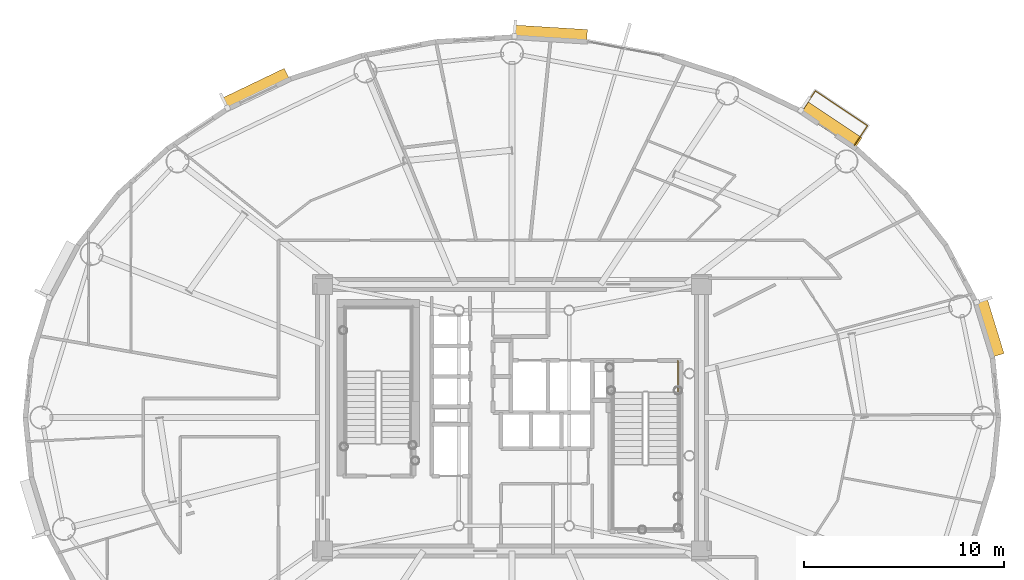
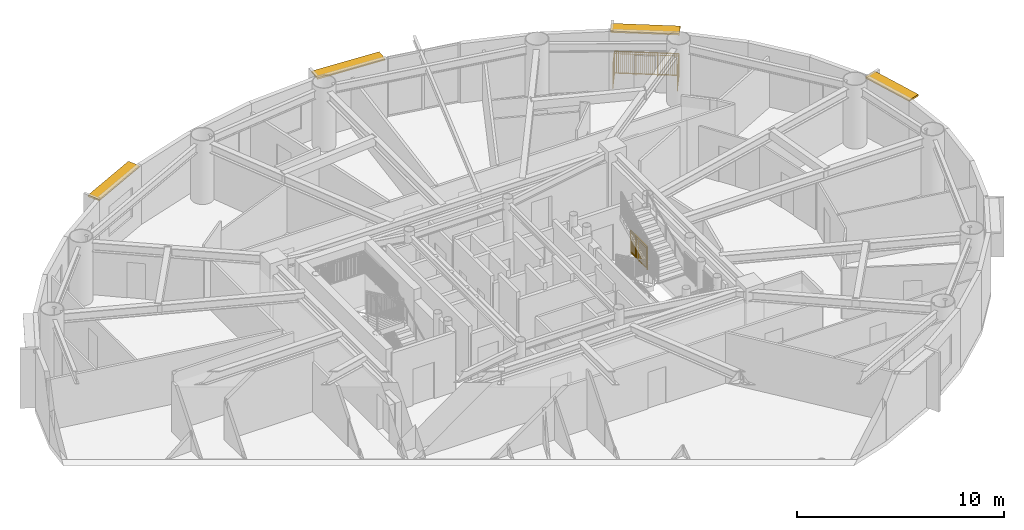
# One storey, part 21 of 21: 4 shading devices, 2 railings.
"""IFC4 building model written with IfcOpenShell, lengths in metres."""

from ifc_helpers import new_model, si_unit, direction, frame, origin, origin_2d, place, context, subcontext, project, spatial, rectangle, extrude, source, transform, mapped, material, layer, layer_set, type_object, element, save


model = new_model("IFC4")

# Units and contexts
model_context = context("Model", 3, precision=1e-05, world=origin(), true_north=direction((0.0, 1.0)))
body_context = subcontext(model_context, "Body", "Model", "MODEL_VIEW")
ifc_project = project(units=[si_unit("LENGTHUNIT", "METRE"), si_unit("AREAUNIT", "SQUARE_METRE"), si_unit("VOLUMEUNIT", "CUBIC_METRE"), si_unit("PLANEANGLEUNIT", "RADIAN"), si_unit("MASSUNIT", "GRAM", prefix="KILO")], contexts=[model_context])

# Site, building, storey
site_placement = place(None, origin())
site = spatial("IfcSite", under=ifc_project, at=site_placement, CompositionType="ELEMENT")
building_placement = place(site_placement, origin())
building = spatial("IfcBuilding", under=site, at=building_placement, Name="Linh Dai School and Residence Tower", CompositionType="ELEMENT")
storey_placement = place(building_placement, frame((0.0, 0.0, 229.050048828125)))
storey = spatial("IfcBuildingStorey", under=building, at=storey_placement, Name="L56", CompositionType="ELEMENT", Elevation=229.050048828125)

# Shading devices
ifc_material_1 = material(Name="Terracotta Ceramic Sunshade", Category="masonry")
ifc_layer = layer(ifc_material_1, 0.10009765625)
ifc_layer_set = layer_set([ifc_layer], Name="Terracotta Ceramic Sunshade")
shading_device_type = type_object("IfcShadingDeviceType", Name="SHD-TC-650", PredefinedType="USERDEFINED", material=ifc_layer_set)
shared_shape_1 = source(origin(), body_context, "Body", "SweptSolid", [
    extrude(rectangle(XDim=2.90380859375, YDim=0.64990234375, at=origin_2d()), origin(), (0.0, 0.0, 1.0), 0.10009765625),
])
shading_device_1_placement = place(storey_placement, frame((59.80615234375, 31.493408203125, 3.3798828125), z_axis=(0.0, 0.0, 1.0), x_axis=(0.2931574026, -0.956064190994, 0.0)))
element("IfcShadingDevice", 1, at=shading_device_1_placement, inside=storey, type_object=shading_device_type, Name="L56 Terracotta Horizontal Sunshade Band 02", ObjectType="SUNSHADE", PredefinedType="USERDEFINED", context=body_context, shape_type="MappedRepresentation", body=[
    mapped(shared_shape_1, transform((0.0, 0.0, 0.0), x_axis=(1.0, 0.0, 0.0), y_axis=(0.0, 1.0, 0.0), z_axis=(0.0, 0.0, 1.0), scale=1.0)),
])
shared_shape_2 = source(origin(), body_context, "Body", "SweptSolid", [
    extrude(rectangle(XDim=3.3447265625, YDim=0.64990234375, at=origin_2d()), origin(), (0.0, 0.0, 1.0), 0.10009765625),
])
shading_device_2_placement = place(storey_placement, frame((51.88671875, 41.6162109375, 3.3798828125), z_axis=(0.0, 0.0, 1.0), x_axis=(0.831257719597, -0.555887222025, 0.0)))
element("IfcShadingDevice", 2, at=shading_device_2_placement, inside=storey, type_object=shading_device_type, Name="L56 Terracotta Horizontal Sunshade Band 06", ObjectType="SUNSHADE", PredefinedType="USERDEFINED", context=body_context, shape_type="MappedRepresentation", body=[
    mapped(shared_shape_2, transform((0.0, 0.0, 0.0), x_axis=(1.0, 0.0, 0.0), y_axis=(0.0, 1.0, 0.0), z_axis=(0.0, 0.0, 1.0), scale=1.0)),
])
shared_shape_3 = source(origin(), body_context, "Body", "SweptSolid", [
    extrude(rectangle(XDim=3.656494140625, YDim=0.64990234375, at=origin_2d()), origin(), (0.0, 0.0, 1.0), 0.10009765625),
])
shading_device_3_placement = place(storey_placement, frame((37.91845703125, 46.147216796875, 3.3798828125), z_axis=(0.0, 0.0, 1.0), x_axis=(0.998106809974, -0.061504437922, 0.0)))
element("IfcShadingDevice", 3, at=shading_device_3_placement, inside=storey, type_object=shading_device_type, Name="L56 Terracotta Horizontal Sunshade Band 10", ObjectType="SUNSHADE", PredefinedType="USERDEFINED", context=body_context, shape_type="MappedRepresentation", body=[
    mapped(shared_shape_3, transform((0.0, 0.0, 0.0), x_axis=(1.0, 0.0, 0.0), y_axis=(0.0, 1.0, 0.0), z_axis=(0.0, 0.0, 1.0), scale=1.0)),
])
shared_shape_4 = source(origin(), body_context, "Body", "SweptSolid", [
    extrude(rectangle(XDim=3.459716796875, YDim=0.64990234375, at=origin_2d()), origin(), (0.0, 0.0, 1.0), 0.10009765625),
])
shading_device_4_placement = place(storey_placement, frame((23.22119140625, 43.384033203125, 3.3798828125), z_axis=(0.0, 0.0, 1.0), x_axis=(0.901588864931, 0.432593941973, 0.0)))
element("IfcShadingDevice", 4, at=shading_device_4_placement, inside=storey, type_object=shading_device_type, Name="L56 Terracotta Horizontal Sunshade Band 14", ObjectType="SUNSHADE", PredefinedType="USERDEFINED", context=body_context, shape_type="MappedRepresentation", body=[
    mapped(shared_shape_4, transform((0.0, 0.0, 0.0), x_axis=(1.0, 0.0, 0.0), y_axis=(0.0, 1.0, 0.0), z_axis=(0.0, 0.0, 1.0), scale=1.0)),
])

# Railings
ifc_material_2 = material(Name="Structural Steel S355JR", Category="steel")
railing_type_1 = type_object("IfcRailingType", Name="RL-BAL-1400", PredefinedType="BALUSTRADE", material=ifc_material_2)
shared_shape_5 = source(origin(), body_context, "Body", "SweptSolid", [
    extrude(rectangle(XDim=0.048095703125, YDim=0.048095703125, at=origin_2d()), frame((0.0, 0.0, 1.3759765625), z_axis=(0.55589317819, 0.831253736498, 0.0), x_axis=(-0.831253736498, 0.55589317819, 0.0)), (0.0, 0.0, 1.0), 1.18017578125),
    extrude(rectangle(XDim=0.048095703125, YDim=0.048095703125, at=origin_2d()), frame((0.0, 0.0, 0.10009765625), z_axis=(0.55589317819, 0.831253736498, 0.0), x_axis=(-0.831253736498, 0.55589317819, 0.0)), (0.0, 0.0, 1.0), 1.18017578125),
    extrude(rectangle(XDim=0.030029296875, YDim=0.030029296875, at=origin_2d()), frame((0.0, 0.0, 1.239990234375), z_axis=(0.55589317819, 0.831253736498, 0.0), x_axis=(-0.831253736498, 0.55589317819, 0.0)), (0.0, 0.0, 1.0), 1.18017578125),
    extrude(rectangle(XDim=0.02001953125, YDim=0.02001953125, at=origin_2d()), frame((0.050537109375, 0.075439453125, 0.10009765625)), (0.0, 0.0, 1.0), 1.251708984375),
    extrude(rectangle(XDim=0.02001953125, YDim=0.02001953125, at=origin_2d()), frame((0.100830078125, 0.15087890625, 0.10009765625)), (0.0, 0.0, 1.0), 1.251708984375),
    extrude(rectangle(XDim=0.02001953125, YDim=0.02001953125, at=origin_2d()), frame((0.1513671875, 0.226318359375, 0.10009765625)), (0.0, 0.0, 1.0), 1.251708984375),
    extrude(rectangle(XDim=0.02001953125, YDim=0.02001953125, at=origin_2d()), frame((0.201904296875, 0.3017578125, 0.10009765625)), (0.0, 0.0, 1.0), 1.251708984375),
    extrude(rectangle(XDim=0.02001953125, YDim=0.02001953125, at=origin_2d()), frame((0.252197265625, 0.377197265625, 0.10009765625)), (0.0, 0.0, 1.0), 1.251708984375),
    extrude(rectangle(XDim=0.02001953125, YDim=0.02001953125, at=origin_2d()), frame((0.302734375, 0.45263671875, 0.10009765625)), (0.0, 0.0, 1.0), 1.251708984375),
    extrude(rectangle(XDim=0.02001953125, YDim=0.02001953125, at=origin_2d()), frame((0.353271484375, 0.5283203125, 0.10009765625)), (0.0, 0.0, 1.0), 1.251708984375),
    extrude(rectangle(XDim=0.02001953125, YDim=0.02001953125, at=origin_2d()), frame((0.40380859375, 0.603759765625, 0.10009765625)), (0.0, 0.0, 1.0), 1.251708984375),
    extrude(rectangle(XDim=0.02001953125, YDim=0.02001953125, at=origin_2d()), frame((0.4541015625, 0.67919921875, 0.10009765625)), (0.0, 0.0, 1.0), 1.251708984375),
    extrude(rectangle(XDim=0.02001953125, YDim=0.02001953125, at=origin_2d()), frame((0.504638671875, 0.754638671875, 0.10009765625)), (0.0, 0.0, 1.0), 1.251708984375),
    extrude(rectangle(XDim=0.02001953125, YDim=0.02001953125, at=origin_2d()), frame((0.55517578125, 0.830078125, 0.10009765625)), (0.0, 0.0, 1.0), 1.251708984375),
    extrude(rectangle(XDim=0.02001953125, YDim=0.02001953125, at=origin_2d()), frame((0.60546875, 0.905517578125, 0.10009765625)), (0.0, 0.0, 1.0), 1.251708984375),
    extrude(rectangle(XDim=0.048095703125, YDim=0.048095703125, at=origin_2d()), frame((0.656005859375, 0.98095703125, 1.3759765625), z_axis=(0.831267981347, -0.555871876593, 0.0), x_axis=(0.555871876593, 0.831267981347, 0.0)), (0.0, 0.0, 1.0), 3.1240234375),
    extrude(rectangle(XDim=0.048095703125, YDim=0.048095703125, at=origin_2d()), frame((0.656005859375, 0.98095703125, 0.10009765625), z_axis=(0.831267981347, -0.555871876593, 0.0), x_axis=(0.555871876593, 0.831267981347, 0.0)), (0.0, 0.0, 1.0), 3.1240234375),
    extrude(rectangle(XDim=0.030029296875, YDim=0.030029296875, at=origin_2d()), frame((0.656005859375, 0.98095703125, 1.239990234375), z_axis=(0.831267981347, -0.555871876593, 0.0), x_axis=(0.555871876593, 0.831267981347, 0.0)), (0.0, 0.0, 1.0), 3.1240234375),
    extrude(rectangle(XDim=0.02001953125, YDim=0.02001953125, at=origin_2d()), frame((0.737060546875, 0.9267578125, 0.10009765625)), (0.0, 0.0, 1.0), 1.251708984375),
    extrude(rectangle(XDim=0.02001953125, YDim=0.02001953125, at=origin_2d()), frame((0.818359375, 0.872314453125, 0.10009765625)), (0.0, 0.0, 1.0), 1.251708984375),
    extrude(rectangle(XDim=0.02001953125, YDim=0.02001953125, at=origin_2d()), frame((0.8994140625, 0.818115234375, 0.10009765625)), (0.0, 0.0, 1.0), 1.251708984375),
    extrude(rectangle(XDim=0.02001953125, YDim=0.02001953125, at=origin_2d()), frame((0.980712890625, 0.763916015625, 0.10009765625)), (0.0, 0.0, 1.0), 1.251708984375),
    extrude(rectangle(XDim=0.02001953125, YDim=0.02001953125, at=origin_2d()), frame((1.061767578125, 0.709716796875, 0.10009765625)), (0.0, 0.0, 1.0), 1.251708984375),
    extrude(rectangle(XDim=0.02001953125, YDim=0.02001953125, at=origin_2d()), frame((1.142822265625, 0.6552734375, 0.10009765625)), (0.0, 0.0, 1.0), 1.251708984375),
    extrude(rectangle(XDim=0.02001953125, YDim=0.02001953125, at=origin_2d()), frame((1.22412109375, 0.60107421875, 0.10009765625)), (0.0, 0.0, 1.0), 1.251708984375),
    extrude(rectangle(XDim=0.02001953125, YDim=0.02001953125, at=origin_2d()), frame((1.30517578125, 0.546875, 0.10009765625)), (0.0, 0.0, 1.0), 1.251708984375),
    extrude(rectangle(XDim=0.02001953125, YDim=0.02001953125, at=origin_2d()), frame((1.386474609375, 0.492431640625, 0.10009765625)), (0.0, 0.0, 1.0), 1.251708984375),
    extrude(rectangle(XDim=0.02001953125, YDim=0.02001953125, at=origin_2d()), frame((1.467529296875, 0.438232421875, 0.10009765625)), (0.0, 0.0, 1.0), 1.251708984375),
    extrude(rectangle(XDim=0.02001953125, YDim=0.02001953125, at=origin_2d()), frame((1.6298828125, 0.329833984375, 0.10009765625)), (0.0, 0.0, 1.0), 1.251708984375),
    extrude(rectangle(XDim=0.02001953125, YDim=0.02001953125, at=origin_2d()), frame((1.7109375, 0.275390625, 0.10009765625)), (0.0, 0.0, 1.0), 1.251708984375),
    extrude(rectangle(XDim=0.02001953125, YDim=0.02001953125, at=origin_2d()), frame((1.792236328125, 0.22119140625, 0.10009765625)), (0.0, 0.0, 1.0), 1.251708984375),
    extrude(rectangle(XDim=0.02001953125, YDim=0.02001953125, at=origin_2d()), frame((1.873291015625, 0.1669921875, 0.10009765625)), (0.0, 0.0, 1.0), 1.251708984375),
    extrude(rectangle(XDim=0.02001953125, YDim=0.02001953125, at=origin_2d()), frame((1.95458984375, 0.11279296875, 0.10009765625)), (0.0, 0.0, 1.0), 1.251708984375),
    extrude(rectangle(XDim=0.02001953125, YDim=0.02001953125, at=origin_2d()), frame((2.03564453125, 0.058349609375, 0.10009765625)), (0.0, 0.0, 1.0), 1.251708984375),
    extrude(rectangle(XDim=0.02001953125, YDim=0.02001953125, at=origin_2d()), frame((2.11669921875, 0.004150390625, 0.10009765625)), (0.0, 0.0, 1.0), 1.251708984375),
    extrude(rectangle(XDim=0.02001953125, YDim=0.02001953125, at=origin_2d()), frame((2.197998046875, -0.050048828125, 0.10009765625)), (0.0, 0.0, 1.0), 1.251708984375),
    extrude(rectangle(XDim=0.02001953125, YDim=0.02001953125, at=origin_2d()), frame((2.279052734375, -0.1044921875, 0.10009765625)), (0.0, 0.0, 1.0), 1.251708984375),
    extrude(rectangle(XDim=0.02001953125, YDim=0.02001953125, at=origin_2d()), frame((2.44140625, -0.212890625, 0.10009765625)), (0.0, 0.0, 1.0), 1.251708984375),
    extrude(rectangle(XDim=0.02001953125, YDim=0.02001953125, at=origin_2d()), frame((2.5224609375, -0.26708984375, 0.10009765625)), (0.0, 0.0, 1.0), 1.251708984375),
    extrude(rectangle(XDim=0.02001953125, YDim=0.02001953125, at=origin_2d()), frame((2.603759765625, -0.321533203125, 0.10009765625)), (0.0, 0.0, 1.0), 1.251708984375),
    extrude(rectangle(XDim=0.02001953125, YDim=0.02001953125, at=origin_2d()), frame((2.684814453125, -0.375732421875, 0.10009765625)), (0.0, 0.0, 1.0), 1.251708984375),
    extrude(rectangle(XDim=0.02001953125, YDim=0.02001953125, at=origin_2d()), frame((2.76611328125, -0.429931640625, 0.10009765625)), (0.0, 0.0, 1.0), 1.251708984375),
    extrude(rectangle(XDim=0.02001953125, YDim=0.02001953125, at=origin_2d()), frame((2.84716796875, -0.484375, 0.10009765625)), (0.0, 0.0, 1.0), 1.251708984375),
    extrude(rectangle(XDim=0.02001953125, YDim=0.02001953125, at=origin_2d()), frame((2.92822265625, -0.53857421875, 0.10009765625)), (0.0, 0.0, 1.0), 1.251708984375),
    extrude(rectangle(XDim=0.02001953125, YDim=0.02001953125, at=origin_2d()), frame((3.009521484375, -0.5927734375, 0.10009765625)), (0.0, 0.0, 1.0), 1.251708984375),
    extrude(rectangle(XDim=0.02001953125, YDim=0.02001953125, at=origin_2d()), frame((3.090576171875, -0.64697265625, 0.10009765625)), (0.0, 0.0, 1.0), 1.251708984375),
    extrude(rectangle(XDim=0.02001953125, YDim=0.02001953125, at=origin_2d()), frame((3.171875, -0.701416015625, 0.10009765625)), (0.0, 0.0, 1.0), 1.251708984375),
    extrude(rectangle(XDim=0.048095703125, YDim=0.048095703125, at=origin_2d()), frame((3.2529296875, -0.755615234375, 1.3759765625), z_axis=(-0.55589317819, -0.831253736498, 0.0), x_axis=(0.831253736498, -0.55589317819, 0.0)), (0.0, 0.0, 1.0), 1.18017578125),
    extrude(rectangle(XDim=0.048095703125, YDim=0.048095703125, at=origin_2d()), frame((3.2529296875, -0.755615234375, 0.10009765625), z_axis=(-0.55589317819, -0.831253736498, 0.0), x_axis=(0.831253736498, -0.55589317819, 0.0)), (0.0, 0.0, 1.0), 1.18017578125),
    extrude(rectangle(XDim=0.030029296875, YDim=0.030029296875, at=origin_2d()), frame((3.2529296875, -0.755615234375, 1.239990234375), z_axis=(-0.55589317819, -0.831253736498, 0.0), x_axis=(0.831253736498, -0.55589317819, 0.0)), (0.0, 0.0, 1.0), 1.18017578125),
    extrude(rectangle(XDim=0.02001953125, YDim=0.02001953125, at=origin_2d()), frame((3.202392578125, -0.8310546875, 0.10009765625)), (0.0, 0.0, 1.0), 1.251708984375),
    extrude(rectangle(XDim=0.02001953125, YDim=0.02001953125, at=origin_2d()), frame((3.152099609375, -0.906494140625, 0.10009765625)), (0.0, 0.0, 1.0), 1.251708984375),
    extrude(rectangle(XDim=0.02001953125, YDim=0.02001953125, at=origin_2d()), frame((3.1015625, -0.98193359375, 0.10009765625)), (0.0, 0.0, 1.0), 1.251708984375),
    extrude(rectangle(XDim=0.02001953125, YDim=0.02001953125, at=origin_2d()), frame((3.051025390625, -1.057373046875, 0.10009765625)), (0.0, 0.0, 1.0), 1.251708984375),
    extrude(rectangle(XDim=0.02001953125, YDim=0.02001953125, at=origin_2d()), frame((3.000732421875, -1.1328125, 0.10009765625)), (0.0, 0.0, 1.0), 1.251708984375),
    extrude(rectangle(XDim=0.02001953125, YDim=0.02001953125, at=origin_2d()), frame((2.9501953125, -1.208251953125, 0.10009765625)), (0.0, 0.0, 1.0), 1.251708984375),
    extrude(rectangle(XDim=0.02001953125, YDim=0.02001953125, at=origin_2d()), frame((2.899658203125, -1.283935546875, 0.10009765625)), (0.0, 0.0, 1.0), 1.251708984375),
    extrude(rectangle(XDim=0.02001953125, YDim=0.02001953125, at=origin_2d()), frame((2.84912109375, -1.359375, 0.10009765625)), (0.0, 0.0, 1.0), 1.251708984375),
    extrude(rectangle(XDim=0.02001953125, YDim=0.02001953125, at=origin_2d()), frame((2.798828125, -1.434814453125, 0.10009765625)), (0.0, 0.0, 1.0), 1.251708984375),
    extrude(rectangle(XDim=0.02001953125, YDim=0.02001953125, at=origin_2d()), frame((2.748291015625, -1.51025390625, 0.10009765625)), (0.0, 0.0, 1.0), 1.251708984375),
    extrude(rectangle(XDim=0.02001953125, YDim=0.02001953125, at=origin_2d()), frame((2.69775390625, -1.585693359375, 0.10009765625)), (0.0, 0.0, 1.0), 1.251708984375),
    extrude(rectangle(XDim=0.02001953125, YDim=0.02001953125, at=origin_2d()), frame((2.6474609375, -1.6611328125, 0.10009765625)), (0.0, 0.0, 1.0), 1.251708984375),
    extrude(rectangle(XDim=0.0419921875, YDim=0.0419921875, at=origin_2d()), origin(), (0.0, 0.0, 1.0), 1.3759765625),
    extrude(rectangle(XDim=0.0419921875, YDim=0.0419921875, at=origin_2d()), frame((0.656005859375, 0.98095703125, 0.0)), (0.0, 0.0, 1.0), 1.3759765625),
    extrude(rectangle(XDim=0.0419921875, YDim=0.0419921875, at=origin_2d()), frame((1.521728515625, 0.402099609375, 0.0)), (0.0, 0.0, 1.0), 1.3759765625),
    extrude(rectangle(XDim=0.0419921875, YDim=0.0419921875, at=origin_2d()), frame((2.38720703125, -0.1767578125, 0.0)), (0.0, 0.0, 1.0), 1.3759765625),
    extrude(rectangle(XDim=0.0419921875, YDim=0.0419921875, at=origin_2d()), frame((3.2529296875, -0.755615234375, 0.0)), (0.0, 0.0, 1.0), 1.3759765625),
    extrude(rectangle(XDim=0.0419921875, YDim=0.0419921875, at=origin_2d()), frame((2.596923828125, -1.736572265625, 0.0)), (0.0, 0.0, 1.0), 1.3759765625),
])
railing_1_placement = place(storey_placement, frame((50.47705078125, 42.318115234375, 0.0)))
element("IfcRailing", 5, at=railing_1_placement, inside=storey, type_object=railing_type_1, Name="L56 Balcony Safety Balustrade 06", PredefinedType="BALUSTRADE", context=body_context, shape_type="MappedRepresentation", body=[
    mapped(shared_shape_5, transform((0.0, 0.0, 0.0), x_axis=(1.0, 0.0, 0.0), y_axis=(0.0, 1.0, 0.0), z_axis=(0.0, 0.0, 1.0), scale=1.0)),
])
railing_type_2 = type_object("IfcRailingType", Name="RL-ST-GUARD-1400", PredefinedType="GUARDRAIL", material=ifc_material_2)
shared_shape_6 = source(origin(), body_context, "Body", "SweptSolid", [
    extrude(rectangle(XDim=0.048095703125, YDim=0.048095703125, at=origin_2d()), frame((0.0, 0.0, 1.3759765625), z_axis=(0.0, -1.0, 0.0), x_axis=(1.0, 0.0, 0.0)), (0.0, 0.0, 1.0), 1.60009765625),
    extrude(rectangle(XDim=0.048095703125, YDim=0.048095703125, at=origin_2d()), frame((0.0, 0.0, 0.10009765625), z_axis=(0.0, -1.0, 0.0), x_axis=(1.0, 0.0, 0.0)), (0.0, 0.0, 1.0), 1.60009765625),
    extrude(rectangle(XDim=0.030029296875, YDim=0.030029296875, at=origin_2d()), frame((0.0, 0.0, 1.239990234375), z_axis=(0.0, -1.0, 0.0), x_axis=(1.0, 0.0, 0.0)), (0.0, 0.0, 1.0), 1.60009765625),
    extrude(rectangle(XDim=0.02001953125, YDim=0.02001953125, at=origin_2d()), frame((0.0, -0.09423828125, 0.10009765625)), (0.0, 0.0, 1.0), 1.251708984375),
    extrude(rectangle(XDim=0.02001953125, YDim=0.02001953125, at=origin_2d()), frame((0.0, -0.188232421875, 0.10009765625)), (0.0, 0.0, 1.0), 1.251708984375),
    extrude(rectangle(XDim=0.02001953125, YDim=0.02001953125, at=origin_2d()), frame((0.0, -0.282470703125, 0.10009765625)), (0.0, 0.0, 1.0), 1.251708984375),
    extrude(rectangle(XDim=0.02001953125, YDim=0.02001953125, at=origin_2d()), frame((0.0, -0.37646484375, 0.10009765625)), (0.0, 0.0, 1.0), 1.251708984375),
    extrude(rectangle(XDim=0.02001953125, YDim=0.02001953125, at=origin_2d()), frame((0.0, -0.470703125, 0.10009765625)), (0.0, 0.0, 1.0), 1.251708984375),
    extrude(rectangle(XDim=0.02001953125, YDim=0.02001953125, at=origin_2d()), frame((0.0, -0.564697265625, 0.10009765625)), (0.0, 0.0, 1.0), 1.251708984375),
    extrude(rectangle(XDim=0.02001953125, YDim=0.02001953125, at=origin_2d()), frame((0.0, -0.658935546875, 0.10009765625)), (0.0, 0.0, 1.0), 1.251708984375),
    extrude(rectangle(XDim=0.02001953125, YDim=0.02001953125, at=origin_2d()), frame((0.0, -0.7529296875, 0.10009765625)), (0.0, 0.0, 1.0), 1.251708984375),
    extrude(rectangle(XDim=0.02001953125, YDim=0.02001953125, at=origin_2d()), frame((0.0, -0.84716796875, 0.10009765625)), (0.0, 0.0, 1.0), 1.251708984375),
    extrude(rectangle(XDim=0.02001953125, YDim=0.02001953125, at=origin_2d()), frame((0.0, -0.941162109375, 0.10009765625)), (0.0, 0.0, 1.0), 1.251708984375),
    extrude(rectangle(XDim=0.02001953125, YDim=0.02001953125, at=origin_2d()), frame((0.0, -1.035400390625, 0.10009765625)), (0.0, 0.0, 1.0), 1.251708984375),
    extrude(rectangle(XDim=0.02001953125, YDim=0.02001953125, at=origin_2d()), frame((0.0, -1.12939453125, 0.10009765625)), (0.0, 0.0, 1.0), 1.251708984375),
    extrude(rectangle(XDim=0.02001953125, YDim=0.02001953125, at=origin_2d()), frame((0.0, -1.2236328125, 0.10009765625)), (0.0, 0.0, 1.0), 1.251708984375),
    extrude(rectangle(XDim=0.02001953125, YDim=0.02001953125, at=origin_2d()), frame((0.0, -1.317626953125, 0.10009765625)), (0.0, 0.0, 1.0), 1.251708984375),
    extrude(rectangle(XDim=0.02001953125, YDim=0.02001953125, at=origin_2d()), frame((0.0, -1.411865234375, 0.10009765625)), (0.0, 0.0, 1.0), 1.251708984375),
    extrude(rectangle(XDim=0.02001953125, YDim=0.02001953125, at=origin_2d()), frame((0.0, -1.505859375, 0.10009765625)), (0.0, 0.0, 1.0), 1.251708984375),
    extrude(rectangle(XDim=0.0419921875, YDim=0.0419921875, at=origin_2d()), origin(), (0.0, 0.0, 1.0), 1.3759765625),
    extrude(rectangle(XDim=0.0419921875, YDim=0.0419921875, at=origin_2d()), frame((0.0, -0.800048828125, 0.0)), (0.0, 0.0, 1.0), 1.3759765625),
    extrude(rectangle(XDim=0.0419921875, YDim=0.0419921875, at=origin_2d()), frame((0.0, -1.60009765625, 0.0)), (0.0, 0.0, 1.0), 1.3759765625),
])
railing_2_placement = place(storey_placement, frame((44.27001953125, 29.85009765625, 0.0)))
element("IfcRailing", 6, at=railing_2_placement, inside=storey, type_object=railing_type_2, Name="L56 ST2 stair guard 9", PredefinedType="GUARDRAIL", context=body_context, shape_type="MappedRepresentation", body=[
    mapped(shared_shape_6, transform((0.0, 0.0, 0.0), x_axis=(1.0, 0.0, 0.0), y_axis=(0.0, 1.0, 0.0), z_axis=(0.0, 0.0, 1.0), scale=1.0)),
])

save(model, "model.ifc")
